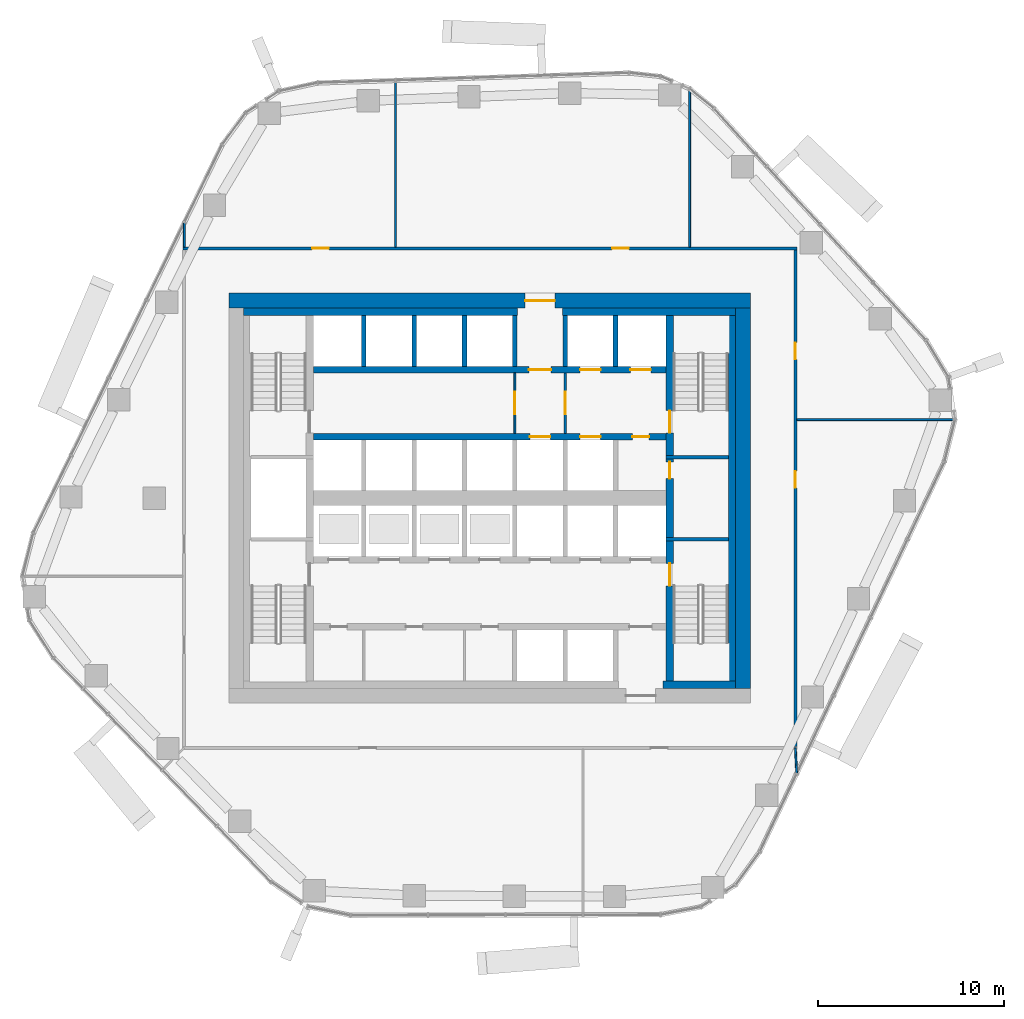
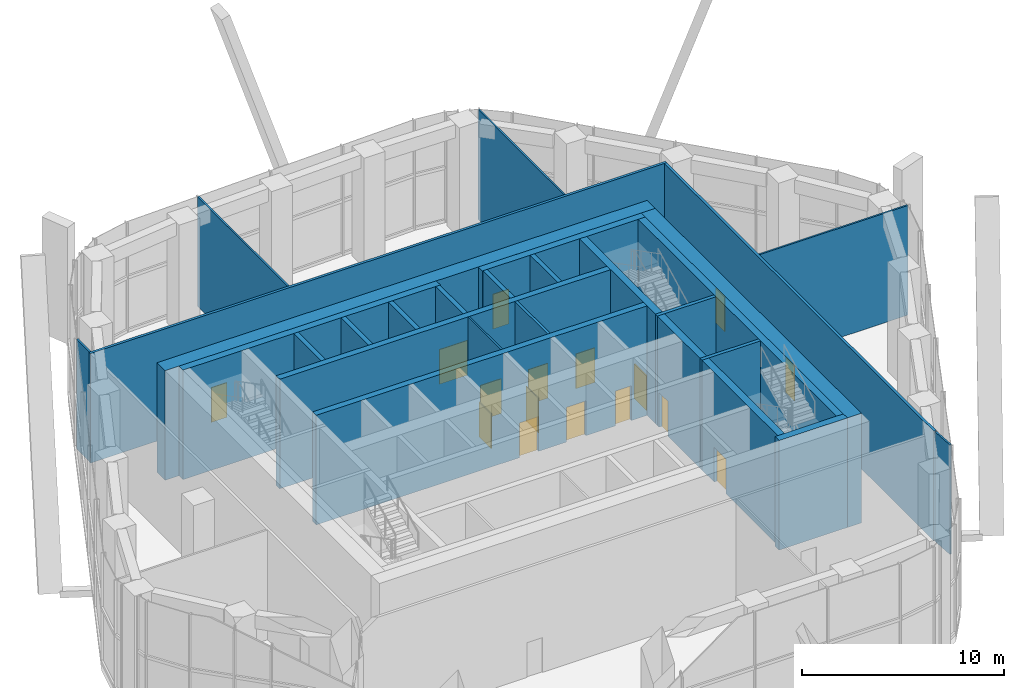
# One storey, part 13 of 20: 28 walls, 16 doors, 16 openings.
"""IFC4 building model written with IfcOpenShell, lengths in metres."""

from ifc_helpers import new_model, si_unit, direction, frame, frame_2d, origin, place, context, subcontext, project, spatial, rectangle, extrude, material, layer, layer_set, type_object, element, fill, save


model = new_model("IFC4")

# Units and contexts
model_context = context("Model", 3, precision=1e-05, world=origin(), true_north=direction((0.0, 1.0)))
body_context = subcontext(model_context, "Body", "Model", "MODEL_VIEW")
ifc_project = project(units=[si_unit("LENGTHUNIT", "METRE"), si_unit("AREAUNIT", "SQUARE_METRE"), si_unit("VOLUMEUNIT", "CUBIC_METRE"), si_unit("PLANEANGLEUNIT", "RADIAN"), si_unit("MASSUNIT", "GRAM", prefix="KILO")], contexts=[model_context])

# Site, building, storey
site_placement = place(None, origin())
site = spatial("IfcSite", under=ifc_project, at=site_placement, CompositionType="ELEMENT")
building_placement = place(site_placement, origin())
building = spatial("IfcBuilding", under=site, at=building_placement, Name="Dongbaek Canopy Tower", CompositionType="ELEMENT")
storey_placement = place(building_placement, frame((0.0, 0.0, 151.60009765625)))
storey = spatial("IfcBuildingStorey", under=building, at=storey_placement, Name="L33", CompositionType="ELEMENT", Elevation=151.60009765625)

# Wall, openings, doors
ifc_material_1 = material(Name="Concrete C60/75", Category="concrete")
ifc_layer_1 = layer(ifc_material_1, 0.35009765625)
ifc_layer_set_1 = layer_set([ifc_layer_1], Name="Core lobby wall 350 Concrete C60/75")
wall_type_1 = type_object("IfcWallType", Name="Core lobby wall 350 Concrete C60/75", PredefinedType="SHEAR", material=ifc_layer_set_1)
wall_1_placement = place(storey_placement, frame((-9.449951171875, 6.89990234375, 0.0), z_axis=(0.0, 0.0, 1.0), x_axis=(1.0, 0.0, 0.0)))
wall_1 = element("IfcWall", 1, at=wall_1_placement, inside=storey, type_object=wall_type_1, Name="Core wall", PredefinedType="SHEAR", context=body_context, shape_type="SweptSolid", body=[
    extrude(rectangle(XDim=18.89990234375, YDim=0.35009765625, at=frame_2d((9.449951171875, 0.0))), origin(), (0.0, 0.0, 1.0), 6.619873046875),
])
opening_1_placement = place(wall_1_placement, frame((11.550048828125, 0.0, 0.0)))
opening_1 = element("IfcOpeningElement", 2, at=opening_1_placement, cuts=wall_1, Name="Opening L33-D011", PredefinedType="OPENING", context=body_context, shape_type="SweptSolid", body=[
    extrude(rectangle(XDim=1.199951171875, YDim=2.10009765625, at=frame_2d((0.60009765625, 1.050048828125))), frame((0.0, 0.18505859375, 0.0), z_axis=(0.0, -1.0, 0.0), x_axis=(1.0, 0.0, 0.0)), (0.0, 0.0, 1.0), 0.3701171875),
])
opening_2_placement = place(wall_1_placement, frame((14.300048828125, 0.0, 0.0)))
opening_2 = element("IfcOpeningElement", 3, at=opening_2_placement, cuts=wall_1, Name="Opening L33-D012", PredefinedType="OPENING", context=body_context, shape_type="SweptSolid", body=[
    extrude(rectangle(XDim=1.10009765625, YDim=2.10009765625, at=frame_2d((0.550048828125, 1.050048828125))), frame((0.0, 0.18505859375, 0.0), z_axis=(0.0, -1.0, 0.0), x_axis=(1.0, 0.0, 0.0)), (0.0, 0.0, 1.0), 0.3701171875),
])
opening_3_placement = place(wall_1_placement, frame((17.0, 0.0, 0.0)))
opening_3 = element("IfcOpeningElement", 4, at=opening_3_placement, cuts=wall_1, Name="Opening L33-D013", PredefinedType="OPENING", context=body_context, shape_type="SweptSolid", body=[
    extrude(rectangle(XDim=1.10009765625, YDim=2.10009765625, at=frame_2d((0.550048828125, 1.050048828125))), frame((0.0, 0.18505859375, 0.0), z_axis=(0.0, -1.0, 0.0), x_axis=(1.0, 0.0, 0.0)), (0.0, 0.0, 1.0), 0.3701171875),
])
ifc_material_2 = material(Name="Steel", Category="steel")
door_type_1 = type_object("IfcDoorType", Name="Fire lobby door 1200 x 2100", OperationType="SINGLE_SWING_LEFT", PredefinedType="DOOR", material=ifc_material_2)
door_1_placement = place(opening_1_placement, origin())
door_1 = element("IfcDoor", 5, at=door_1_placement, inside=storey, type_object=door_type_1, Name="Door L33-D011", OperationType="SINGLE_SWING_LEFT", OverallHeight=2.10009765625, OverallWidth=1.199951171875, PredefinedType="DOOR", context=body_context, shape_type="SweptSolid", body=[
    extrude(rectangle(XDim=1.199951171875, YDim=2.10009765625, at=frame_2d((0.60009765625, 1.050048828125))), frame((0.0, 0.02490234375, 0.0), z_axis=(0.0, -1.0, 0.0), x_axis=(1.0, 0.0, 0.0)), (0.0, 0.0, 1.0), 0.050048828125),
])
fill(opening_1, door_1)
ifc_material_3 = material(Name="Stainless steel", Category="steel")
door_type_2 = type_object("IfcDoorType", Name="Lift landing door 1100 x 2100", OperationType="DOUBLE_DOOR_SLIDING", PredefinedType="DOOR", material=ifc_material_3)
door_2_placement = place(opening_2_placement, origin())
door_2 = element("IfcDoor", 6, at=door_2_placement, inside=storey, type_object=door_type_2, Name="Landing door FF1", OperationType="DOUBLE_DOOR_SLIDING", OverallHeight=2.10009765625, OverallWidth=1.10009765625, PredefinedType="DOOR", context=body_context, shape_type="SweptSolid", body=[
    extrude(rectangle(XDim=1.10009765625, YDim=2.10009765625, at=frame_2d((0.550048828125, 1.050048828125))), frame((0.0, 0.02490234375, 0.0), z_axis=(0.0, -1.0, 0.0), x_axis=(1.0, 0.0, 0.0)), (0.0, 0.0, 1.0), 0.050048828125),
])
fill(opening_2, door_2)
door_3_placement = place(opening_3_placement, origin())
door_3 = element("IfcDoor", 7, at=door_3_placement, inside=storey, type_object=door_type_2, Name="Landing door FF2", OperationType="DOUBLE_DOOR_SLIDING", OverallHeight=2.10009765625, OverallWidth=1.10009765625, PredefinedType="DOOR", context=body_context, shape_type="SweptSolid", body=[
    extrude(rectangle(XDim=1.10009765625, YDim=2.10009765625, at=frame_2d((0.550048828125, 1.050048828125))), frame((0.0, 0.02490234375, 0.0), z_axis=(0.0, -1.0, 0.0), x_axis=(1.0, 0.0, 0.0)), (0.0, 0.0, 1.0), 0.050048828125),
])
fill(opening_3, door_3)

wall_2_placement = place(storey_placement, frame((9.449951171875, 3.300048828125, 0.0), z_axis=(0.0, 0.0, 1.0), x_axis=(-1.0, 0.0, 0.0)))
wall_2 = element("IfcWall", 8, at=wall_2_placement, inside=storey, type_object=wall_type_1, Name="Core wall", PredefinedType="SHEAR", context=body_context, shape_type="SweptSolid", body=[
    extrude(rectangle(XDim=18.89990234375, YDim=0.35009765625, at=frame_2d((9.449951171875, 0.0))), origin(), (0.0, 0.0, 1.0), 6.619873046875),
])
opening_4_placement = place(wall_2_placement, frame((6.199951171875, 0.0, 0.0)))
opening_4 = element("IfcOpeningElement", 9, at=opening_4_placement, cuts=wall_2, Name="Opening L33-D014", PredefinedType="OPENING", context=body_context, shape_type="SweptSolid", body=[
    extrude(rectangle(XDim=1.10009765625, YDim=2.10009765625, at=frame_2d((0.550048828125, 1.050048828125))), frame((0.0, 0.18505859375, 0.0), z_axis=(0.0, -1.0, 0.0), x_axis=(1.0, 0.0, 0.0)), (0.0, 0.0, 1.0), 0.3701171875),
])
opening_5_placement = place(wall_2_placement, frame((3.5, 0.0, 0.0)))
opening_5 = element("IfcOpeningElement", 10, at=opening_5_placement, cuts=wall_2, Name="Opening L33-D015", PredefinedType="OPENING", context=body_context, shape_type="SweptSolid", body=[
    extrude(rectangle(XDim=1.10009765625, YDim=2.10009765625, at=frame_2d((0.550048828125, 1.050048828125))), frame((0.0, 0.18505859375, 0.0), z_axis=(0.0, -1.0, 0.0), x_axis=(1.0, 0.0, 0.0)), (0.0, 0.0, 1.0), 0.3701171875),
])
opening_6_placement = place(wall_2_placement, frame((0.89990234375, 0.0, 0.0)))
opening_6 = element("IfcOpeningElement", 11, at=opening_6_placement, cuts=wall_2, Name="Opening L33-D016", PredefinedType="OPENING", context=body_context, shape_type="SweptSolid", body=[
    extrude(rectangle(XDim=0.89990234375, YDim=2.10009765625, at=frame_2d((0.449951171875, 1.050048828125))), frame((0.0, 0.18505859375, 0.0), z_axis=(0.0, -1.0, 0.0), x_axis=(1.0, 0.0, 0.0)), (0.0, 0.0, 1.0), 0.3701171875),
])
ifc_material_4 = material(Name="Steel", Category="steel")
door_type_3 = type_object("IfcDoorType", Name="Core room door 900 x 2100", OperationType="SINGLE_SWING_LEFT", PredefinedType="DOOR", material=ifc_material_4)
door_4_placement = place(opening_6_placement, origin())
door_4 = element("IfcDoor", 12, at=door_4_placement, inside=storey, type_object=door_type_3, Name="Door L33-D016", OperationType="SINGLE_SWING_LEFT", OverallHeight=2.10009765625, OverallWidth=0.89990234375, PredefinedType="DOOR", context=body_context, shape_type="SweptSolid", body=[
    extrude(rectangle(XDim=0.89990234375, YDim=2.10009765625, at=frame_2d((0.449951171875, 1.050048828125))), frame((0.0, 0.02490234375, 0.0), z_axis=(0.0, -1.0, 0.0), x_axis=(1.0, 0.0, 0.0)), (0.0, 0.0, 1.0), 0.050048828125),
])
fill(opening_6, door_4)
door_5_placement = place(opening_4_placement, origin())
door_5 = element("IfcDoor", 13, at=door_5_placement, inside=storey, type_object=door_type_2, Name="Landing door SV1", OperationType="DOUBLE_DOOR_SLIDING", OverallHeight=2.10009765625, OverallWidth=1.10009765625, PredefinedType="DOOR", context=body_context, shape_type="SweptSolid", body=[
    extrude(rectangle(XDim=1.10009765625, YDim=2.10009765625, at=frame_2d((0.550048828125, 1.050048828125))), frame((0.0, 0.02490234375, 0.0), z_axis=(0.0, -1.0, 0.0), x_axis=(1.0, 0.0, 0.0)), (0.0, 0.0, 1.0), 0.050048828125),
])
fill(opening_4, door_5)
door_6_placement = place(opening_5_placement, origin())
door_6 = element("IfcDoor", 14, at=door_6_placement, inside=storey, type_object=door_type_2, Name="Landing door FF3", OperationType="DOUBLE_DOOR_SLIDING", OverallHeight=2.10009765625, OverallWidth=1.10009765625, PredefinedType="DOOR", context=body_context, shape_type="SweptSolid", body=[
    extrude(rectangle(XDim=1.10009765625, YDim=2.10009765625, at=frame_2d((0.550048828125, 1.050048828125))), frame((0.0, 0.02490234375, 0.0), z_axis=(0.0, -1.0, 0.0), x_axis=(1.0, 0.0, 0.0)), (0.0, 0.0, 1.0), 0.050048828125),
])
fill(opening_5, door_6)

# Wall, opening, door
ifc_material_5 = material(Name="Concrete C70/85", Category="concrete")
ifc_layer_2 = layer(ifc_material_5, 0.800048828125)
ifc_layer_set_2 = layer_set([ifc_layer_2], Name="Core outer wall 800 Concrete C70/85")
wall_type_2 = type_object("IfcWallType", Name="Core outer wall 800 Concrete C70/85", PredefinedType="SHEAR", material=ifc_layer_set_2)
wall_3_placement = place(storey_placement, frame((-14.0, 10.60009765625, 0.0), z_axis=(0.0, 0.0, 1.0), x_axis=(1.0, 0.0, 0.0)))
wall_3 = element("IfcWall", 15, at=wall_3_placement, inside=storey, type_object=wall_type_2, Name="Core wall", PredefinedType="SHEAR", context=body_context, shape_type="SweptSolid", body=[
    extrude(rectangle(XDim=28.0, YDim=0.800048828125, at=frame_2d((14.0, 0.0))), origin(), (0.0, 0.0, 1.0), 6.619873046875),
])
opening_7_placement = place(wall_3_placement, frame((15.89990234375, 0.0, 0.0)))
opening_7 = element("IfcOpeningElement", 16, at=opening_7_placement, cuts=wall_3, Name="Opening L33-D010", PredefinedType="OPENING", context=body_context, shape_type="SweptSolid", body=[
    extrude(rectangle(XDim=1.60009765625, YDim=2.10009765625, at=frame_2d((0.800048828125, 1.050048828125))), frame((0.0, 0.409912109375, 0.0), z_axis=(0.0, -1.0, 0.0), x_axis=(1.0, 0.0, 0.0)), (0.0, 0.0, 1.0), 0.820068359375),
])
ifc_material_6 = material(Name="Steel", Category="steel")
door_type_4 = type_object("IfcDoorType", Name="Core exit door 1600 x 2100", OperationType="DOUBLE_DOOR_SINGLE_SWING", PredefinedType="DOOR", material=ifc_material_6)
door_7_placement = place(opening_7_placement, origin())
door_7 = element("IfcDoor", 17, at=door_7_placement, inside=storey, type_object=door_type_4, Name="Core exit door", OperationType="DOUBLE_DOOR_SINGLE_SWING", OverallHeight=2.10009765625, OverallWidth=1.60009765625, PredefinedType="DOOR", context=body_context, shape_type="SweptSolid", body=[
    extrude(rectangle(XDim=1.60009765625, YDim=2.10009765625, at=frame_2d((0.800048828125, 1.050048828125))), frame((0.0, 0.02490234375, 0.0), z_axis=(0.0, -1.0, 0.0), x_axis=(1.0, 0.0, 0.0)), (0.0, 0.0, 1.0), 0.050048828125),
])
fill(opening_7, door_7)

# Walls
wall_4_placement = place(storey_placement, frame((13.60009765625, 10.199951171875, 0.0), z_axis=(0.0, 0.0, 1.0), x_axis=(0.0, -1.0, 0.0)))
element("IfcWall", 18, at=wall_4_placement, inside=storey, type_object=wall_type_2, Name="Core wall", PredefinedType="SHEAR", context=body_context, shape_type="SweptSolid", body=[
    extrude(rectangle(XDim=20.39990234375, YDim=0.800048828125, at=frame_2d((10.199951171875, 0.0))), origin(), (0.0, 0.0, 1.0), 6.619873046875),
])
ifc_material_7 = material(Name="Concrete C60/75", Category="concrete")
ifc_layer_3 = layer(ifc_material_7, 0.39990234375)
ifc_layer_set_3 = layer_set([ifc_layer_3], Name="Core wall lining 400 Concrete C60/75")
wall_type_3 = type_object("IfcWallType", Name="Core wall lining 400 Concrete C60/75", PredefinedType="SHEAR", material=ifc_layer_set_3)
wall_5_placement = place(storey_placement, frame((-13.199951171875, 10.0, 0.0), z_axis=(0.0, 0.0, 1.0), x_axis=(1.0, 0.0, 0.0)))
element("IfcWall", 19, at=wall_5_placement, inside=storey, type_object=wall_type_3, Name="Core wall lining", PredefinedType="SHEAR", context=body_context, shape_type="SweptSolid", body=[
    extrude(rectangle(XDim=14.699951171875, YDim=0.39990234375, at=frame_2d((7.35009765625, 0.0))), origin(), (0.0, 0.0, 1.0), 6.619873046875),
])
wall_6_placement = place(storey_placement, frame((3.89990234375, 10.0, 0.0), z_axis=(0.0, 0.0, 1.0), x_axis=(1.0, 0.0, 0.0)))
element("IfcWall", 20, at=wall_6_placement, inside=storey, type_object=wall_type_3, Name="Core wall lining", PredefinedType="SHEAR", context=body_context, shape_type="SweptSolid", body=[
    extrude(rectangle(XDim=9.300048828125, YDim=0.39990234375, at=frame_2d((4.64990234375, 0.0))), origin(), (0.0, 0.0, 1.0), 6.619873046875),
])
wall_7_placement = place(storey_placement, frame((13.199951171875, -10.0, 0.0), z_axis=(0.0, 0.0, 1.0), x_axis=(-1.0, 0.0, 0.0)))
element("IfcWall", 21, at=wall_7_placement, inside=storey, type_object=wall_type_3, Name="Core wall lining", PredefinedType="SHEAR", context=body_context, shape_type="SweptSolid", body=[
    extrude(rectangle(XDim=3.89990234375, YDim=0.39990234375, at=frame_2d((1.949951171875, 0.0))), origin(), (0.0, 0.0, 1.0), 6.619873046875),
])
wall_8_placement = place(storey_placement, frame((13.0, 9.800048828125, 0.0), z_axis=(0.0, 0.0, 1.0), x_axis=(0.0, -1.0, 0.0)))
element("IfcWall", 22, at=wall_8_placement, inside=storey, type_object=wall_type_3, Name="Core wall lining", PredefinedType="SHEAR", context=body_context, shape_type="SweptSolid", body=[
    extrude(rectangle(XDim=19.60009765625, YDim=0.39990234375, at=frame_2d((9.800048828125, 0.0))), origin(), (0.0, 0.0, 1.0), 6.619873046875),
])

# Wall, openings, doors
ifc_material_8 = material(Name="Gypsum board partition, steel stud, 2 x 15 mm fire board", Category="steel")
ifc_layer_4 = layer(ifc_material_8, 0.14990234375)
ifc_layer_set_4 = layer_set([ifc_layer_4], Name="Fire-rated partition 150 gypsum board")
wall_type_4 = type_object("IfcWallType", Name="Fire-rated partition 150 gypsum board", PredefinedType="PARTITIONING", material=ifc_layer_set_4)
wall_9_placement = place(storey_placement, frame((-16.449951171875, 13.39990234375, 0.0), z_axis=(0.0, 0.0, 1.0), x_axis=(1.0, 0.0, 0.0)))
wall_9 = element("IfcWall", 23, at=wall_9_placement, inside=storey, type_object=wall_type_4, Name="Corridor partition", PredefinedType="PARTITIONING", context=body_context, shape_type="SweptSolid", body=[
    extrude(rectangle(XDim=32.925048828125, YDim=0.14990234375, at=frame_2d((16.46240234375, 0.0))), origin(), (0.0, 0.0, 1.0), 6.619873046875),
])
opening_8_placement = place(wall_9_placement, frame((23.018310546875, 0.0, 0.0)))
opening_8 = element("IfcOpeningElement", 24, at=opening_8_placement, cuts=wall_9, Name="Opening L33-D006", PredefinedType="OPENING", context=body_context, shape_type="SweptSolid", body=[
    extrude(rectangle(XDim=0.89990234375, YDim=2.10009765625, at=frame_2d((0.449951171875, 1.050048828125))), frame((0.0, 0.0849609375, 0.0), z_axis=(0.0, -1.0, 0.0), x_axis=(1.0, 0.0, 0.0)), (0.0, 0.0, 1.0), 0.169921875),
])
opening_9_placement = place(wall_9_placement, frame((6.92724609375, 0.0, 0.0)))
opening_9 = element("IfcOpeningElement", 25, at=opening_9_placement, cuts=wall_9, Name="Opening L33-D007", PredefinedType="OPENING", context=body_context, shape_type="SweptSolid", body=[
    extrude(rectangle(XDim=0.89990234375, YDim=2.10009765625, at=frame_2d((0.449951171875, 1.050048828125))), frame((0.0, 0.0849609375, 0.0), z_axis=(0.0, -1.0, 0.0), x_axis=(1.0, 0.0, 0.0)), (0.0, 0.0, 1.0), 0.169921875),
])
ifc_material_9 = material(Name="Timber veneered door leaf", Category="wood")
door_type_5 = type_object("IfcDoorType", Name="Room door 900 x 2100", OperationType="SINGLE_SWING_LEFT", PredefinedType="DOOR", material=ifc_material_9)
door_8_placement = place(opening_8_placement, origin())
door_8 = element("IfcDoor", 26, at=door_8_placement, inside=storey, type_object=door_type_5, Name="Door L33-D006", OperationType="SINGLE_SWING_LEFT", OverallHeight=2.10009765625, OverallWidth=0.89990234375, PredefinedType="DOOR", context=body_context, shape_type="SweptSolid", body=[
    extrude(rectangle(XDim=0.89990234375, YDim=2.10009765625, at=frame_2d((0.449951171875, 1.050048828125))), frame((0.0, 0.02490234375, 0.0), z_axis=(0.0, -1.0, 0.0), x_axis=(1.0, 0.0, 0.0)), (0.0, 0.0, 1.0), 0.050048828125),
])
fill(opening_8, door_8)
door_9_placement = place(opening_9_placement, origin())
door_9 = element("IfcDoor", 27, at=door_9_placement, inside=storey, type_object=door_type_5, Name="Door L33-D007", OperationType="SINGLE_SWING_RIGHT", OverallHeight=2.10009765625, OverallWidth=0.89990234375, PredefinedType="DOOR", context=body_context, shape_type="SweptSolid", body=[
    extrude(rectangle(XDim=0.89990234375, YDim=2.10009765625, at=frame_2d((0.449951171875, 1.050048828125))), frame((0.0, 0.02490234375, 0.0), z_axis=(0.0, -1.0, 0.0), x_axis=(1.0, 0.0, 0.0)), (0.0, 0.0, 1.0), 0.050048828125),
])
fill(opening_9, door_9)

wall_10_placement = place(storey_placement, frame((16.39990234375, 13.324951171875, 0.0), z_axis=(0.0, 0.0, 1.0), x_axis=(0.0, -1.0, 0.0)))
wall_10 = element("IfcWall", 28, at=wall_10_placement, inside=storey, type_object=wall_type_4, Name="Corridor partition", PredefinedType="PARTITIONING", context=body_context, shape_type="SweptSolid", body=[
    extrude(rectangle(XDim=26.64990234375, YDim=0.14990234375, at=frame_2d((13.324951171875, 0.0))), origin(), (0.0, 0.0, 1.0), 6.619873046875),
])
opening_10_placement = place(wall_10_placement, frame((11.87744140625, 0.0, 0.0)))
opening_10 = element("IfcOpeningElement", 29, at=opening_10_placement, cuts=wall_10, Name="Opening L33-D004", PredefinedType="OPENING", context=body_context, shape_type="SweptSolid", body=[
    extrude(rectangle(XDim=0.89990234375, YDim=2.10009765625, at=frame_2d((0.449951171875, 1.050048828125))), frame((0.0, 0.0849609375, 0.0), z_axis=(0.0, -1.0, 0.0), x_axis=(1.0, 0.0, 0.0)), (0.0, 0.0, 1.0), 0.169921875),
])
opening_11_placement = place(wall_10_placement, frame((4.973388671875, 0.0, 0.0)))
opening_11 = element("IfcOpeningElement", 30, at=opening_11_placement, cuts=wall_10, Name="Opening L33-D005", PredefinedType="OPENING", context=body_context, shape_type="SweptSolid", body=[
    extrude(rectangle(XDim=0.89990234375, YDim=2.10009765625, at=frame_2d((0.449951171875, 1.050048828125))), frame((0.0, 0.0849609375, 0.0), z_axis=(0.0, -1.0, 0.0), x_axis=(1.0, 0.0, 0.0)), (0.0, 0.0, 1.0), 0.169921875),
])
door_10_placement = place(opening_10_placement, origin())
door_10 = element("IfcDoor", 31, at=door_10_placement, inside=storey, type_object=door_type_5, Name="Door L33-D004", OperationType="SINGLE_SWING_LEFT", OverallHeight=2.10009765625, OverallWidth=0.89990234375, PredefinedType="DOOR", context=body_context, shape_type="SweptSolid", body=[
    extrude(rectangle(XDim=0.89990234375, YDim=2.10009765625, at=frame_2d((0.449951171875, 1.050048828125))), frame((0.0, 0.02490234375, 0.0), z_axis=(0.0, -1.0, 0.0), x_axis=(1.0, 0.0, 0.0)), (0.0, 0.0, 1.0), 0.050048828125),
])
fill(opening_10, door_10)
door_11_placement = place(opening_11_placement, origin())
door_11 = element("IfcDoor", 32, at=door_11_placement, inside=storey, type_object=door_type_5, Name="Door L33-D005", OperationType="SINGLE_SWING_RIGHT", OverallHeight=2.10009765625, OverallWidth=0.89990234375, PredefinedType="DOOR", context=body_context, shape_type="SweptSolid", body=[
    extrude(rectangle(XDim=0.89990234375, YDim=2.10009765625, at=frame_2d((0.449951171875, 1.050048828125))), frame((0.0, 0.02490234375, 0.0), z_axis=(0.0, -1.0, 0.0), x_axis=(1.0, 0.0, 0.0)), (0.0, 0.0, 1.0), 0.050048828125),
])
fill(opening_11, door_11)

# Wall, opening, door
wall_11_placement = place(storey_placement, frame((4.050048828125, 6.72509765625, 0.0), z_axis=(0.0, 0.0, 1.0), x_axis=(0.0, -1.0, 0.0)))
wall_11 = element("IfcWall", 33, at=wall_11_placement, inside=storey, type_object=wall_type_4, Name="Fire lobby partition", PredefinedType="PARTITIONING", context=body_context, shape_type="SweptSolid", body=[
    extrude(rectangle(XDim=3.25, YDim=0.14990234375, at=frame_2d((1.625, 0.0))), origin(), (0.0, 0.0, 1.0), 6.619873046875),
])
opening_12_placement = place(wall_11_placement, frame((1.02490234375, 0.0, 0.0)))
opening_12 = element("IfcOpeningElement", 34, at=opening_12_placement, cuts=wall_11, Name="Opening L33-D034", PredefinedType="OPENING", context=body_context, shape_type="SweptSolid", body=[
    extrude(rectangle(XDim=1.199951171875, YDim=2.10009765625, at=frame_2d((0.60009765625, 1.050048828125))), frame((0.0, 0.0849609375, 0.0), z_axis=(0.0, -1.0, 0.0), x_axis=(1.0, 0.0, 0.0)), (0.0, 0.0, 1.0), 0.169921875),
])
door_12_placement = place(opening_12_placement, origin())
door_12 = element("IfcDoor", 35, at=door_12_placement, inside=storey, type_object=door_type_1, Name="Door L33-D034", OperationType="SINGLE_SWING_RIGHT", OverallHeight=2.10009765625, OverallWidth=1.199951171875, PredefinedType="DOOR", context=body_context, shape_type="SweptSolid", body=[
    extrude(rectangle(XDim=1.199951171875, YDim=2.10009765625, at=frame_2d((0.60009765625, 1.050048828125))), frame((0.0, 0.02490234375, 0.0), z_axis=(0.0, -1.0, 0.0), x_axis=(1.0, 0.0, 0.0)), (0.0, 0.0, 1.0), 0.050048828125),
])
fill(opening_12, door_12)

# Walls
ifc_material_10 = material(Name="Concrete C40/50", Category="concrete")
ifc_layer_5 = layer(ifc_material_10, 0.25)
ifc_layer_set_5 = layer_set([ifc_layer_5], Name="Lift shaft wall 250 Concrete C40/50")
wall_type_5 = type_object("IfcWallType", Name="Lift shaft wall 250 Concrete C40/50", PredefinedType="SOLIDWALL", material=ifc_layer_set_5)
for number, where, z_axis, x_axis, name in (
    (36, (6.75, 7.074951171875, 0.0), (0.0, 0.0, 1.0), (0.0, 1.0, 0.0), "Lift shaft wall"),
    (37, (4.050048828125, 7.074951171875, 0.0), (0.0, 0.0, 1.0), (0.0, 1.0, 0.0), "Lift shaft wall"),
    (38, (1.35009765625, 7.074951171875, 0.0), (0.0, 0.0, 1.0), (0.0, 1.0, 0.0), "Lift shaft wall"),
    (39, (-1.35009765625, 7.074951171875, 0.0), (0.0, 0.0, 1.0), (0.0, 1.0, 0.0), "Lift shaft wall"),
    (40, (-4.050048828125, 7.074951171875, 0.0), (0.0, 0.0, 1.0), (0.0, 1.0, 0.0), "Lift shaft wall"),
    (41, (-6.75, 7.074951171875, 0.0), (0.0, 0.0, 1.0), (0.0, 1.0, 0.0), "Lift shaft wall"),
):
    element("IfcWall", number, at=place(storey_placement, frame(where, z_axis=z_axis, x_axis=x_axis)), inside=storey, type_object=wall_type_5, Name=name, PredefinedType="SOLIDWALL", context=body_context, shape_type="SweptSolid", body=[
        extrude(rectangle(XDim=2.72509765625, YDim=0.25, at=frame_2d((1.362548828125, 0.0))), origin(), (0.0, 0.0, 1.0), 6.619873046875),
    ])
ifc_material_11 = material(Name="Gypsum board partition, steel stud, 2 x 12.5 mm board", Category="steel")
ifc_layer_6 = layer(ifc_material_11, 0.10009765625)
ifc_layer_set_6 = layer_set([ifc_layer_6], Name="Partition 100 gypsum board")
wall_type_6 = type_object("IfcWallType", Name="Partition 100 gypsum board", PredefinedType="PARTITIONING", material=ifc_layer_set_6)
wall_12_placement = place(storey_placement, frame((16.47509765625, 4.215087890625, 0.0), z_axis=(0.0, 0.0, 1.0), x_axis=(1.0, 0.0, 0.0)))
element("IfcWall", 42, at=wall_12_placement, inside=storey, type_object=wall_type_6, Name="Partition", PredefinedType="PARTITIONING", context=body_context, shape_type="SweptSolid", body=[
    extrude(rectangle(XDim=8.47119140625, YDim=0.10009765625, at=frame_2d((4.235595703125, 0.0))), origin(), (0.0, 0.0, 1.0), 6.619873046875),
])
wall_13_placement = place(storey_placement, frame((10.72509765625, 13.47509765625, 0.0), z_axis=(0.0, 0.0, 1.0), x_axis=(0.0, 1.0, 0.0)))
element("IfcWall", 43, at=wall_13_placement, inside=storey, type_object=wall_type_6, Name="Partition", PredefinedType="PARTITIONING", context=body_context, shape_type="SweptSolid", body=[
    extrude(rectangle(XDim=8.475830078125, YDim=0.10009765625, at=frame_2d((4.23779296875, 0.0))), origin(), (0.0, 0.0, 1.0), 6.619873046875),
])
wall_14_placement = place(storey_placement, frame((-5.052001953125, 13.47509765625, 0.0), z_axis=(0.0, 0.0, 1.0), x_axis=(0.0, 1.0, 0.0)))
element("IfcWall", 44, at=wall_14_placement, inside=storey, type_object=wall_type_6, Name="Partition", PredefinedType="PARTITIONING", context=body_context, shape_type="SweptSolid", body=[
    extrude(rectangle(XDim=8.9248046875, YDim=0.10009765625, at=frame_2d((4.46240234375, 0.0))), origin(), (0.0, 0.0, 1.0), 6.619873046875),
])
wall_15_placement = place(storey_placement, frame((-16.3798828125, 13.47509765625, 0.0), z_axis=(0.0, 0.0, 1.0), x_axis=(0.0, 1.0, 0.0)))
element("IfcWall", 45, at=wall_15_placement, inside=storey, type_object=wall_type_6, Name="Partition", PredefinedType="PARTITIONING", context=body_context, shape_type="SweptSolid", body=[
    extrude(rectangle(XDim=1.280517578125, YDim=0.10009765625, at=frame_2d((0.64013671875, 0.0))), origin(), (0.0, 0.0, 1.0), 6.619873046875),
])
wall_16_placement = place(storey_placement, frame((16.400390625, -13.39990234375, 0.0), z_axis=(0.0, 0.0, 1.0), x_axis=(0.052197349417, -0.998636789185, 0.0)))
element("IfcWall", 46, at=wall_16_placement, inside=storey, type_object=wall_type_6, Name="Partition", PredefinedType="PARTITIONING", context=body_context, shape_type="SweptSolid", body=[
    extrude(rectangle(XDim=1.34716796875, YDim=0.10009765625, at=frame_2d((0.673583984375, 0.0))), origin(), (0.0, 0.0, 1.0), 6.619873046875),
])

# Wall, opening, door
wall_17_placement = place(storey_placement, frame((1.35009765625, 6.72509765625, 0.0), z_axis=(0.0, 0.0, 1.0), x_axis=(0.0, -1.0, 0.0)))
wall_17 = element("IfcWall", 47, at=wall_17_placement, inside=storey, type_object=wall_type_6, Name="Core partition", PredefinedType="PARTITIONING", context=body_context, shape_type="SweptSolid", body=[
    extrude(rectangle(XDim=3.25, YDim=0.10009765625, at=frame_2d((1.625, 0.0))), origin(), (0.0, 0.0, 1.0), 6.619873046875),
])
opening_13_placement = place(wall_17_placement, frame((1.02490234375, 0.0, 0.0)))
opening_13 = element("IfcOpeningElement", 48, at=opening_13_placement, cuts=wall_17, Name="Opening L33-D033", PredefinedType="OPENING", context=body_context, shape_type="SweptSolid", body=[
    extrude(rectangle(XDim=1.199951171875, YDim=2.10009765625, at=frame_2d((0.60009765625, 1.050048828125))), frame((0.0, 0.06005859375, 0.0), z_axis=(0.0, -1.0, 0.0), x_axis=(1.0, 0.0, 0.0)), (0.0, 0.0, 1.0), 0.1201171875),
])
door_13_placement = place(opening_13_placement, origin())
door_13 = element("IfcDoor", 49, at=door_13_placement, inside=storey, type_object=door_type_1, Name="Door L33-D033", OperationType="SINGLE_SWING_LEFT", OverallHeight=2.10009765625, OverallWidth=1.199951171875, PredefinedType="DOOR", context=body_context, shape_type="SweptSolid", body=[
    extrude(rectangle(XDim=1.199951171875, YDim=2.10009765625, at=frame_2d((0.60009765625, 1.050048828125))), frame((0.0, 0.02490234375, 0.0), z_axis=(0.0, -1.0, 0.0), x_axis=(1.0, 0.0, 0.0)), (0.0, 0.0, 1.0), 0.050048828125),
])
fill(opening_13, door_13)

# Walls
ifc_material_12 = material(Name="Concrete C60/75", Category="concrete")
ifc_layer_7 = layer(ifc_material_12, 0.199951171875)
ifc_layer_set_7 = layer_set([ifc_layer_7], Name="Riser wall 200 Concrete C60/75")
wall_type_7 = type_object("IfcWallType", Name="Riser wall 200 Concrete C60/75", PredefinedType="SHEAR", material=ifc_layer_set_7)
for number, where, z_axis, x_axis, name in (
    (50, (9.449951171875, 2.199951171875, 0.0), (0.0, 0.0, 1.0), (1.0, 0.0, 0.0), "Riser wall"),
    (51, (9.449951171875, -2.199951171875, 0.0), (0.0, 0.0, 1.0), (1.0, 0.0, 0.0), "Riser wall"),
):
    element("IfcWall", number, at=place(storey_placement, frame(where, z_axis=z_axis, x_axis=x_axis)), inside=storey, type_object=wall_type_7, Name=name, PredefinedType="SHEAR", context=body_context, shape_type="SweptSolid", body=[
        extrude(rectangle(XDim=3.35009765625, YDim=0.199951171875, at=frame_2d((1.675048828125, 0.0))), origin(), (0.0, 0.0, 1.0), 6.619873046875),
    ])

# Wall, opening, door
ifc_material_13 = material(Name="Concrete C60/75", Category="concrete")
ifc_layer_8 = layer(ifc_material_13, 0.39990234375)
ifc_layer_set_8 = layer_set([ifc_layer_8], Name="Stair wall 400 Concrete C60/75")
wall_type_8 = type_object("IfcWallType", Name="Stair wall 400 Concrete C60/75", PredefinedType="SHEAR", material=ifc_layer_set_8)
wall_18_placement = place(storey_placement, frame((9.64990234375, -2.300048828125, 0.0), z_axis=(0.0, 0.0, 1.0), x_axis=(0.0, -1.0, 0.0)))
wall_18 = element("IfcWall", 52, at=wall_18_placement, inside=storey, type_object=wall_type_8, Name="Stair wall", PredefinedType="SHEAR", context=body_context, shape_type="SweptSolid", body=[
    extrude(rectangle(XDim=7.5, YDim=0.39990234375, at=frame_2d((3.75, 0.0))), origin(), (0.0, 0.0, 1.0), 6.619873046875),
])
opening_14_placement = place(wall_18_placement, frame((1.199951171875, 0.0, 0.0)))
opening_14 = element("IfcOpeningElement", 53, at=opening_14_placement, cuts=wall_18, Name="Opening L33-D031", PredefinedType="OPENING", context=body_context, shape_type="SweptSolid", body=[
    extrude(rectangle(XDim=1.199951171875, YDim=2.10009765625, at=frame_2d((0.60009765625, 1.050048828125))), frame((0.0, 0.2099609375, 0.0), z_axis=(0.0, -1.0, 0.0), x_axis=(1.0, 0.0, 0.0)), (0.0, 0.0, 1.0), 0.419921875),
])
ifc_material_14 = material(Name="Steel", Category="steel")
door_type_6 = type_object("IfcDoorType", Name="Stair door 1200 x 2100", OperationType="SINGLE_SWING_LEFT", PredefinedType="DOOR", material=ifc_material_14)
door_14_placement = place(opening_14_placement, origin())
door_14 = element("IfcDoor", 54, at=door_14_placement, inside=storey, type_object=door_type_6, Name="Stair B door", OperationType="SINGLE_SWING_RIGHT", OverallHeight=2.10009765625, OverallWidth=1.199951171875, PredefinedType="DOOR", context=body_context, shape_type="SweptSolid", body=[
    extrude(rectangle(XDim=1.199951171875, YDim=2.10009765625, at=frame_2d((0.60009765625, 1.050048828125))), frame((0.0, 0.02490234375, 0.0), z_axis=(0.0, -1.0, 0.0), x_axis=(1.0, 0.0, 0.0)), (0.0, 0.0, 1.0), 0.050048828125),
])
fill(opening_14, door_14)

wall_19_placement = place(storey_placement, frame((9.64990234375, 2.10009765625, 0.0), z_axis=(0.0, 0.0, 1.0), x_axis=(0.0, -1.0, 0.0)))
wall_19 = element("IfcWall", 55, at=wall_19_placement, inside=storey, type_object=wall_type_8, Name="Stair wall", PredefinedType="SHEAR", context=body_context, shape_type="SweptSolid", body=[
    extrude(rectangle(XDim=4.2001953125, YDim=0.39990234375, at=frame_2d((2.10009765625, 0.0))), origin(), (0.0, 0.0, 1.0), 6.619873046875),
])
opening_15_placement = place(wall_19_placement, frame((0.14990234375, 0.0, 0.0)))
opening_15 = element("IfcOpeningElement", 56, at=opening_15_placement, cuts=wall_19, Name="Opening L33-D009", PredefinedType="OPENING", context=body_context, shape_type="SweptSolid", body=[
    extrude(rectangle(XDim=0.89990234375, YDim=2.10009765625, at=frame_2d((0.449951171875, 1.050048828125))), frame((0.0, 0.2099609375, 0.0), z_axis=(0.0, -1.0, 0.0), x_axis=(1.0, 0.0, 0.0)), (0.0, 0.0, 1.0), 0.419921875),
])
door_15_placement = place(opening_15_placement, origin())
door_15 = element("IfcDoor", 57, at=door_15_placement, inside=storey, type_object=door_type_3, Name="Door L33-D009", OperationType="SINGLE_SWING_RIGHT", OverallHeight=2.10009765625, OverallWidth=0.89990234375, PredefinedType="DOOR", context=body_context, shape_type="SweptSolid", body=[
    extrude(rectangle(XDim=0.89990234375, YDim=2.10009765625, at=frame_2d((0.449951171875, 1.050048828125))), frame((0.0, 0.02490234375, 0.0), z_axis=(0.0, -1.0, 0.0), x_axis=(1.0, 0.0, 0.0)), (0.0, 0.0, 1.0), 0.050048828125),
])
fill(opening_15, door_15)

wall_20_placement = place(storey_placement, frame((9.64990234375, 9.800048828125, 0.0), z_axis=(0.0, 0.0, 1.0), x_axis=(0.0, -1.0, 0.0)))
wall_20 = element("IfcWall", 58, at=wall_20_placement, inside=storey, type_object=wall_type_8, Name="Stair wall", PredefinedType="SHEAR", context=body_context, shape_type="SweptSolid", body=[
    extrude(rectangle(XDim=7.5, YDim=0.39990234375, at=frame_2d((3.75, 0.0))), origin(), (0.0, 0.0, 1.0), 6.619873046875),
])
opening_16_placement = place(wall_20_placement, frame((5.10009765625, 0.0, 0.0)))
opening_16 = element("IfcOpeningElement", 59, at=opening_16_placement, cuts=wall_20, Name="Opening L33-D029", PredefinedType="OPENING", context=body_context, shape_type="SweptSolid", body=[
    extrude(rectangle(XDim=1.199951171875, YDim=2.10009765625, at=frame_2d((0.60009765625, 1.050048828125))), frame((0.0, 0.2099609375, 0.0), z_axis=(0.0, -1.0, 0.0), x_axis=(1.0, 0.0, 0.0)), (0.0, 0.0, 1.0), 0.419921875),
])
door_16_placement = place(opening_16_placement, origin())
door_16 = element("IfcDoor", 60, at=door_16_placement, inside=storey, type_object=door_type_6, Name="Stair A door", OperationType="SINGLE_SWING_LEFT", OverallHeight=2.10009765625, OverallWidth=1.199951171875, PredefinedType="DOOR", context=body_context, shape_type="SweptSolid", body=[
    extrude(rectangle(XDim=1.199951171875, YDim=2.10009765625, at=frame_2d((0.60009765625, 1.050048828125))), frame((0.0, 0.02490234375, 0.0), z_axis=(0.0, -1.0, 0.0), x_axis=(1.0, 0.0, 0.0)), (0.0, 0.0, 1.0), 0.050048828125),
])
fill(opening_16, door_16)

save(model, "model.ifc")
